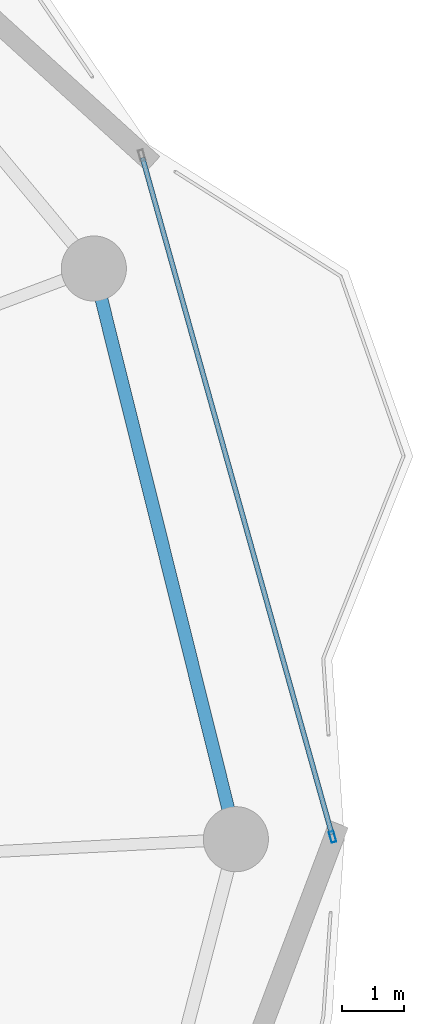
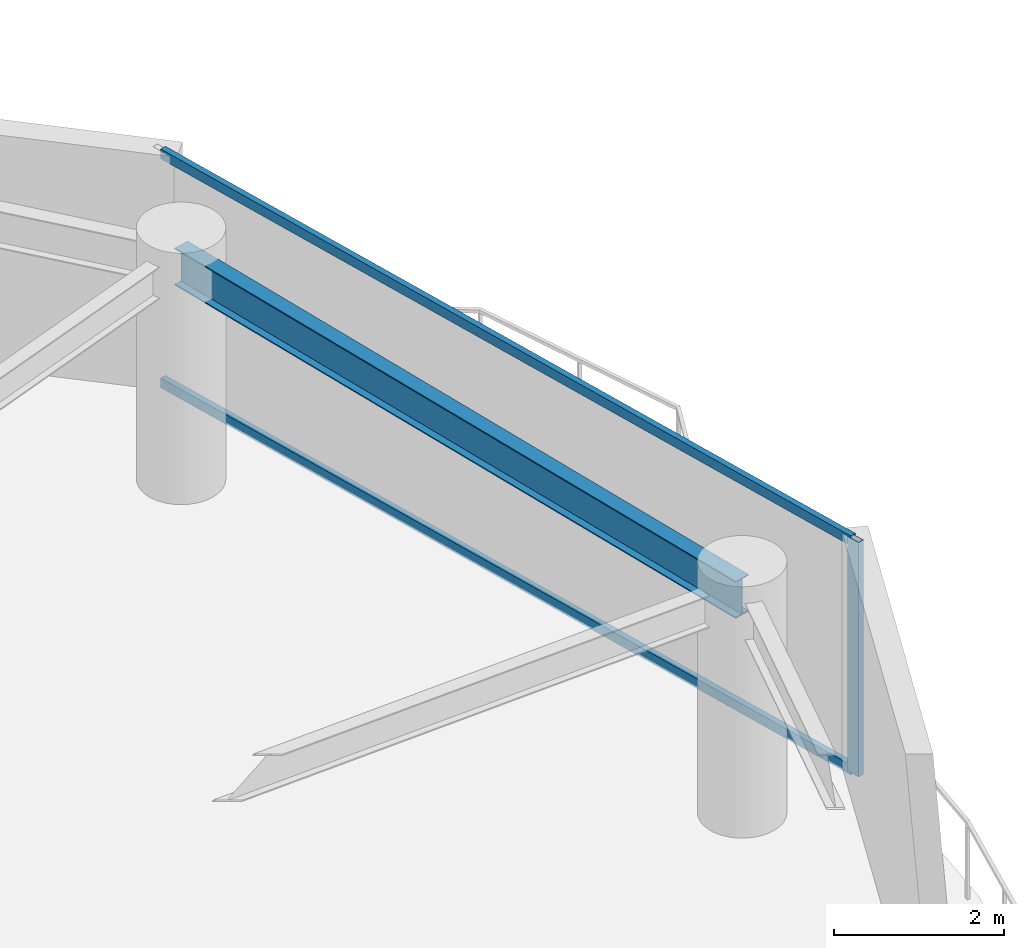
# One storey, part 15 of 28: 3 members, 1 beam, 1 element without a shape of its own.
"""IFC4 building model written with IfcOpenShell, lengths in metres."""

from ifc_helpers import new_model, si_unit, direction, frame, origin, origin_2d, place, context, subcontext, project, spatial, hollow_rectangle, i_section, extrude, material, layer, layer_set, material_profile, profile_set, type_object, element, aggregate, save


model = new_model("IFC4")

# Units and contexts
model_context = context("Model", 3, precision=1e-05, world=origin(), true_north=direction((0.0, 1.0)))
body_context = subcontext(model_context, "Body", "Model", "MODEL_VIEW")
ifc_project = project(units=[si_unit("LENGTHUNIT", "METRE"), si_unit("AREAUNIT", "SQUARE_METRE"), si_unit("VOLUMEUNIT", "CUBIC_METRE"), si_unit("PLANEANGLEUNIT", "RADIAN"), si_unit("MASSUNIT", "GRAM", prefix="KILO")], contexts=[model_context])

# Site, building, storey
site_placement = place(None, origin())
site = spatial("IfcSite", under=ifc_project, at=site_placement, CompositionType="ELEMENT")
building_placement = place(site_placement, origin())
building = spatial("IfcBuilding", under=site, at=building_placement, Name="Kazevale Care Tower and Concert Hall", CompositionType="ELEMENT")
storey_placement = place(building_placement, frame((0.0, 0.0, 231.60009765625)))
storey = spatial("IfcBuildingStorey", under=building, at=storey_placement, Name="L61", CompositionType="ELEMENT", Elevation=231.60009765625)

# Curtain wall, members
ifc_material_1 = material(Name="Aluminium 6063-T6 and Low-E Glass", Category="aluminium")
ifc_layer = layer(ifc_material_1, 0.179931640625)
ifc_layer_set = layer_set([ifc_layer], Name="Aluminium 6063-T6 and Low-E Glass")
curtain_wall_type = type_object("IfcCurtainWallType", Name="Waist & Upper Residential Curtain Wall CW-4", PredefinedType="NOTDEFINED", material=ifc_layer_set)
curtain_wall_placement = place(storey_placement, origin())
curtain_wall = element("IfcCurtainWall", 1, at=curtain_wall_placement, inside=storey, type_object=curtain_wall_type, Name="cw:L61:f18", PredefinedType="NOTDEFINED")
ifc_material_2 = material(Name="Aluminium 6063-T6", Category="aluminium")
ifc_material_profile_1 = material_profile(ifc_material_2, hollow_rectangle(XDim=0.080078125, YDim=0.179931640625, WallThickness=0.0048828125, at=origin_2d()), Name="ALU80x180x5")
ifc_profile_set_1 = profile_set([ifc_material_profile_1], Name="Aluminium 6063-T6")
member_type_1 = type_object("IfcMemberType", Name="CW-4 Mullion ALU80x180x5", PredefinedType="MULLION", material=ifc_profile_set_1)
member_1_placement = place(storey_placement, frame((76.609130859375, 38.03857421875, 0.0), z_axis=(0.0, 0.0, 1.0), x_axis=(0.962972156211, 0.269600864915, 0.0)))
member_1 = element("IfcMember", 2, at=member_1_placement, type_object=member_type_1, Name="CW-4 mullion 2", PredefinedType="MULLION", context=body_context, shape_type="SweptSolid", body=[
    extrude(hollow_rectangle(XDim=0.080078125, YDim=0.179931640625, WallThickness=0.0048828125, at=origin_2d()), origin(), (0.0, 0.0, 1.0), 3.35986328125),
])
ifc_material_profile_2 = material_profile(ifc_material_2, hollow_rectangle(XDim=0.080078125, YDim=0.139892578125, WallThickness=0.00390625, at=origin_2d()), Name="ALU80x140x4")
ifc_profile_set_2 = profile_set([ifc_material_profile_2], Name="Aluminium 6063-T6")
member_type_2 = type_object("IfcMemberType", Name="CW-4 Transom ALU80x140x4", PredefinedType="USERDEFINED", material=ifc_profile_set_2)
member_2_placement = place(storey_placement, frame((73.544677734375, 48.98486328125, 0.039794921875), z_axis=(0.269593149795, -0.96297431616, 0.0), x_axis=(0.96297431616, 0.269593149795, 0.0)))
member_2 = element("IfcMember", 3, at=member_2_placement, type_object=member_type_2, Name="CW-4 transom 1.1", ObjectType="TRANSOM", PredefinedType="USERDEFINED", context=body_context, shape_type="SweptSolid", body=[
    extrude(hollow_rectangle(XDim=0.080078125, YDim=0.139892578125, WallThickness=0.00390625, at=origin_2d()), origin(), (0.0, 0.0, 1.0), 11.3271484375),
])
member_3_placement = place(storey_placement, frame((73.544677734375, 48.98486328125, 3.31982421875), z_axis=(0.269593149795, -0.96297431616, 0.0), x_axis=(0.96297431616, 0.269593149795, 0.0)))
member_3 = element("IfcMember", 4, at=member_3_placement, type_object=member_type_2, Name="CW-4 transom 1.2", ObjectType="TRANSOM", PredefinedType="USERDEFINED", context=body_context, shape_type="SweptSolid", body=[
    extrude(hollow_rectangle(XDim=0.080078125, YDim=0.139892578125, WallThickness=0.00390625, at=origin_2d()), origin(), (0.0, 0.0, 1.0), 11.3271484375),
])
aggregate(curtain_wall, [member_1, member_2, member_3])

# Beam
ifc_material_3 = material(Name="Steel ASTM A572 Gr 50", Category="steel")
ifc_material_profile_3 = material_profile(ifc_material_3, i_section(OverallWidth=0.208984375, OverallDepth=0.532958984375, WebThickness=0.01025390625, FlangeThickness=0.015625, at=origin_2d()), Name="W530x92")
ifc_profile_set_3 = profile_set([ifc_material_profile_3], Name="Steel ASTM A572 Gr 50")
beam_type = type_object("IfcBeamType", Name="Upper Ring Beam W530x92", PredefinedType="BEAM", material=ifc_profile_set_3)
beam_placement = place(storey_placement, frame((75.050048828125, 38.0, 3.093505859375), z_axis=(-0.241547858543, 0.970388907621, 0.0), x_axis=(-0.970388907621, -0.241547858543, 0.0)))
element("IfcBeam", 5, at=beam_placement, inside=storey, type_object=beam_type, Name="beam:L61:ring:01", PredefinedType="BEAM", context=body_context, shape_type="SweptSolid", body=[
    extrude(i_section(OverallWidth=0.208984375, OverallDepth=0.532958984375, WebThickness=0.01025390625, FlangeThickness=0.015625, at=origin_2d()), origin(), (0.0, 0.0, 1.0), 9.480712890625),
])

save(model, "model.ifc")
